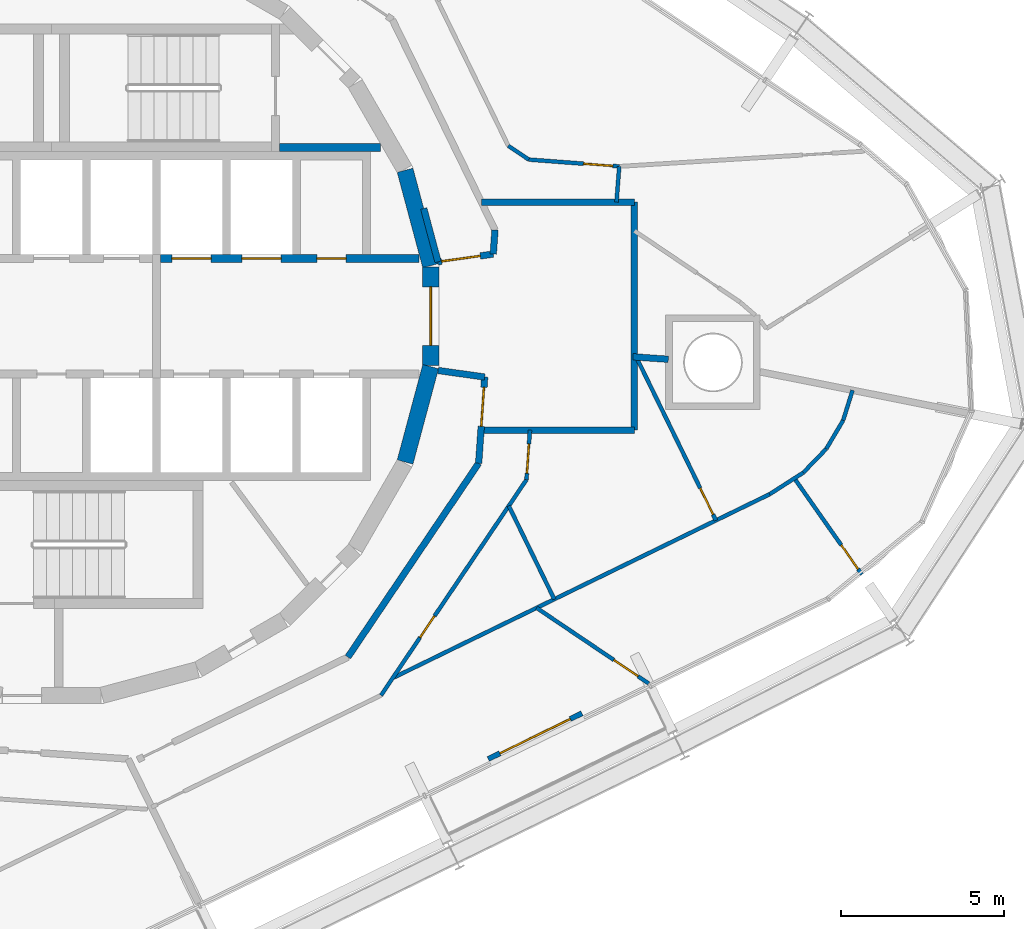
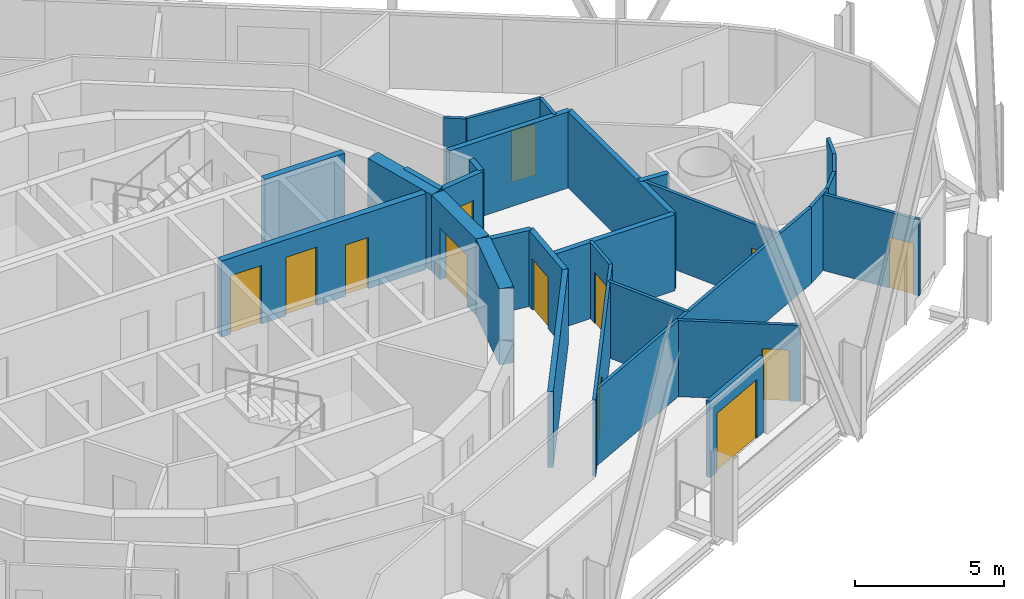
# One storey, part 14 of 18: 30 walls, 13 doors, 13 openings.
"""IFC4 building model written with IfcOpenShell, lengths in metres."""

from ifc_helpers import new_model, si_unit, direction, frame, frame_2d, origin, place, context, subcontext, project, spatial, rectangle, extrude, material, layer, layer_set, type_object, element, fill, save


model = new_model("IFC4")

# Units and contexts
model_context = context("Model", 3, precision=1e-05, world=origin(), true_north=direction((0.0, 1.0)))
body_context = subcontext(model_context, "Body", "Model", "MODEL_VIEW")
ifc_project = project(units=[si_unit("LENGTHUNIT", "METRE"), si_unit("AREAUNIT", "SQUARE_METRE"), si_unit("VOLUMEUNIT", "CUBIC_METRE"), si_unit("PLANEANGLEUNIT", "RADIAN"), si_unit("MASSUNIT", "GRAM", prefix="KILO")], contexts=[model_context])

# Site, building, storey
site_placement = place(None, origin())
site = spatial("IfcSite", under=ifc_project, at=site_placement, CompositionType="ELEMENT")
building_placement = place(site_placement, origin())
building = spatial("IfcBuilding", under=site, at=building_placement, Name="Spindle Arch Residences", CompositionType="ELEMENT")
storey_placement = place(building_placement, frame((0.0, 0.0, 202.39990234375)))
storey = spatial("IfcBuildingStorey", under=building, at=storey_placement, Name="L51", CompositionType="ELEMENT", Elevation=202.39990234375)

# Wall
ifc_material_1 = material(Name="Concrete C50/60", Category="concrete")
ifc_layer_1 = layer(ifc_material_1, 0.5)
ifc_layer_set_1 = layer_set([ifc_layer_1], Name="Core outline wall 500")
wall_type_1 = type_object("IfcWallType", Name="Core outline wall 500", PredefinedType="SHEAR", material=ifc_layer_set_1)
wall_1_placement = place(storey_placement, frame((10.858154296875, -4.479248046875, 0.0), z_axis=(0.0, 0.0, 1.0), x_axis=(0.258734743916, 0.965948410781, 0.0)))
element("IfcWall", 1, at=wall_1_placement, inside=storey, type_object=wall_type_1, Name="Core outline wall 5", PredefinedType="SHEAR", context=body_context, shape_type="SweptSolid", body=[
    extrude(rectangle(XDim=3.03271484375, YDim=0.5, at=frame_2d((1.516357421875, 0.0))), origin(), (0.0, 0.0, 1.0), 3.1201171875),
])

# Wall, opening, door
wall_2_placement = place(storey_placement, frame((11.647216796875, -1.516357421875, 0.0), z_axis=(0.0, 0.0, 1.0), x_axis=(0.0, 1.0, 0.0)))
wall_2 = element("IfcWall", 2, at=wall_2_placement, inside=storey, type_object=wall_type_1, Name="Core outline wall 6", PredefinedType="SHEAR", context=body_context, shape_type="SweptSolid", body=[
    extrude(rectangle(XDim=3.03271484375, YDim=0.5, at=frame_2d((1.516357421875, 0.0))), origin(), (0.0, 0.0, 1.0), 3.1201171875),
])
opening_1_placement = place(wall_2_placement, frame((0.6162109375, 0.0, 0.0)))
opening_1 = element("IfcOpeningElement", 3, at=opening_1_placement, cuts=wall_2, Name="Opening R5B0-FE01", PredefinedType="OPENING", context=body_context, shape_type="SweptSolid", body=[
    extrude(rectangle(XDim=1.800048828125, YDim=2.10009765625, at=frame_2d((0.89990234375, 1.050048828125))), frame((0.0, 0.260009765625, 0.0), z_axis=(0.0, -1.0, 0.0), x_axis=(1.0, 0.0, 0.0)), (0.0, 0.0, 1.0), 0.52001953125),
])
ifc_material_2 = material(Name="Steel, fire-resisting door", Category="steel")
door_type_1 = type_object("IfcDoorType", Name="Fire-lift lobby door 1800x2100", OperationType="DOUBLE_DOOR_SINGLE_SWING", PredefinedType="DOOR", material=ifc_material_2)
door_1_placement = place(opening_1_placement, origin())
door_1 = element("IfcDoor", 4, at=door_1_placement, inside=storey, type_object=door_type_1, Name="Fire-lift lobby door R5B0-FE01", OperationType="DOUBLE_DOOR_SINGLE_SWING", OverallHeight=2.10009765625, OverallWidth=1.800048828125, PredefinedType="DOOR", context=body_context, shape_type="SweptSolid", body=[
    extrude(rectangle(XDim=1.800048828125, YDim=2.10009765625, at=frame_2d((0.89990234375, 1.050048828125))), frame((0.0, 0.02490234375, 0.0), z_axis=(0.0, -1.0, 0.0), x_axis=(1.0, 0.0, 0.0)), (0.0, 0.0, 1.0), 0.050048828125),
])
fill(opening_1, door_1)

# Walls
wall_3_placement = place(storey_placement, frame((11.642822265625, 1.5498046875, 0.0), z_axis=(0.0, 0.0, 1.0), x_axis=(-0.258734743916, 0.965948410781, 0.0)))
element("IfcWall", 5, at=wall_3_placement, inside=storey, type_object=wall_type_1, Name="Core outline wall 7", PredefinedType="SHEAR", context=body_context, shape_type="SweptSolid", body=[
    extrude(rectangle(XDim=3.03271484375, YDim=0.5, at=frame_2d((1.516357421875, 0.0))), origin(), (0.0, 0.0, 1.0), 3.1201171875),
])
ifc_material_3 = material(Name="Calcium silicate block, plastered")
ifc_layer_2 = layer(ifc_material_3, 0.199951171875)
ifc_layer_set_2 = layer_set([ifc_layer_2], Name="Corridor wall 200")
wall_type_2 = type_object("IfcWallType", Name="Corridor wall 200", PredefinedType="STANDARD", material=ifc_layer_set_2)
wall_4_placement = place(storey_placement, frame((9.101318359375, -10.469970703125, 0.0), z_axis=(0.0, 0.0, 1.0), x_axis=(0.559195469534, 0.829035841718, 0.0)))
element("IfcWall", 6, at=wall_4_placement, inside=storey, type_object=wall_type_2, Name="Corridor wall R5B0-W021", PredefinedType="STANDARD", context=body_context, shape_type="SweptSolid", body=[
    extrude(rectangle(XDim=7.18115234375, YDim=0.199951171875, at=frame_2d((3.590576171875, 0.0))), origin(), (0.0, 0.0, 1.0), 3.1201171875),
])
ifc_material_4 = material(Name="Calcium silicate block, plastered")
ifc_layer_3 = layer(ifc_material_4, 0.199951171875)
ifc_layer_set_3 = layer_set([ifc_layer_3], Name="Fire-lift lobby bay wall 200")
wall_type_3 = type_object("IfcWallType", Name="Fire-lift lobby bay wall 200", PredefinedType="STANDARD", material=ifc_layer_set_3)
wall_5_placement = place(storey_placement, frame((11.8701171875, 1.668212890625, 0.0), z_axis=(0.0, 0.0, 1.0), x_axis=(-0.258836880648, 0.965921047093, 0.0)))
element("IfcWall", 7, at=wall_5_placement, inside=storey, type_object=wall_type_3, Name="Fire-lift lobby bay wall R5B0-W001", PredefinedType="STANDARD", context=body_context, shape_type="SweptSolid", body=[
    extrude(rectangle(XDim=1.695068359375, YDim=0.199951171875, at=frame_2d((0.84765625, 0.0))), origin(), (0.0, 0.0, 1.0), 3.1201171875),
])

# Wall, opening, door
wall_6_placement = place(storey_placement, frame((11.8701171875, 1.668212890625, 0.0), z_axis=(0.0, 0.0, 1.0), x_axis=(0.990271931984, 0.139145609792, 0.0)))
wall_6 = element("IfcWall", 8, at=wall_6_placement, inside=storey, type_object=wall_type_3, Name="Fire-lift lobby bay wall R5B0-W002", PredefinedType="STANDARD", context=body_context, shape_type="SweptSolid", body=[
    extrude(rectangle(XDim=1.71240234375, YDim=0.199951171875, at=frame_2d((0.856201171875, 0.0))), origin(), (0.0, 0.0, 1.0), 3.1201171875),
])
opening_2_placement = place(wall_6_placement, frame((0.110107421875, 0.0, 0.0)))
opening_2 = element("IfcOpeningElement", 9, at=opening_2_placement, cuts=wall_6, Name="Opening R5B0-CD01", PredefinedType="OPENING", context=body_context, shape_type="SweptSolid", body=[
    extrude(rectangle(XDim=1.199951171875, YDim=2.10009765625, at=frame_2d((0.60009765625, 1.050048828125))), frame((0.0, 0.10986328125, 0.0), z_axis=(0.0, -1.0, 0.0), x_axis=(1.0, 0.0, 0.0)), (0.0, 0.0, 1.0), 0.219970703125),
])
ifc_material_5 = material(Name="Steel, fire-resisting door", Category="steel")
door_type_2 = type_object("IfcDoorType", Name="Corridor division door 1200x2100", OperationType="NOTDEFINED", PredefinedType="DOOR", material=ifc_material_5)
door_2_placement = place(opening_2_placement, origin())
door_2 = element("IfcDoor", 10, at=door_2_placement, inside=storey, type_object=door_type_2, Name="Corridor division door R5B0-CD01", OperationType="DOUBLE_DOOR_SINGLE_SWING", OverallHeight=2.10009765625, OverallWidth=1.199951171875, PredefinedType="DOOR", context=body_context, shape_type="SweptSolid", body=[
    extrude(rectangle(XDim=1.199951171875, YDim=2.10009765625, at=frame_2d((0.60009765625, 1.050048828125))), frame((0.0, 0.02490234375, 0.0), z_axis=(0.0, -1.0, 0.0), x_axis=(1.0, 0.0, 0.0)), (0.0, 0.0, 1.0), 0.050048828125),
])
fill(opening_2, door_2)

# Wall
wall_7_placement = place(storey_placement, frame((13.56591796875, 1.906494140625, 0.0), z_axis=(0.0, 0.0, 1.0), x_axis=(0.07005495793, 0.997543133338, 0.0)))
element("IfcWall", 11, at=wall_7_placement, inside=storey, type_object=wall_type_3, Name="Fire-lift lobby bay wall R5B0-W003", PredefinedType="STANDARD", context=body_context, shape_type="SweptSolid", body=[
    extrude(rectangle(XDim=0.7421875, YDim=0.199951171875, at=frame_2d((0.37109375, 0.0))), origin(), (0.0, 0.0, 1.0), 3.1201171875),
])

# Wall, opening, door
wall_8_placement = place(storey_placement, frame((13.116943359375, -4.5166015625, 0.0), z_axis=(0.0, 0.0, 1.0), x_axis=(0.069736659613, 0.997565435601, 0.0)))
wall_8 = element("IfcWall", 12, at=wall_8_placement, inside=storey, type_object=wall_type_3, Name="Fire-lift lobby bay wall R5B0-W013", PredefinedType="STANDARD", context=body_context, shape_type="SweptSolid", body=[
    extrude(rectangle(XDim=2.653564453125, YDim=0.199951171875, at=frame_2d((1.32666015625, 0.0))), origin(), (0.0, 0.0, 1.0), 3.1201171875),
])
opening_3_placement = place(wall_8_placement, frame((1.134033203125, 0.0, 0.0)))
opening_3 = element("IfcOpeningElement", 13, at=opening_3_placement, cuts=wall_8, Name="Opening R5B0-CD02", PredefinedType="OPENING", context=body_context, shape_type="SweptSolid", body=[
    extrude(rectangle(XDim=1.199951171875, YDim=2.10009765625, at=frame_2d((0.60009765625, 1.050048828125))), frame((0.0, 0.10986328125, 0.0), z_axis=(0.0, -1.0, 0.0), x_axis=(1.0, 0.0, 0.0)), (0.0, 0.0, 1.0), 0.219970703125),
])
door_3_placement = place(opening_3_placement, origin())
door_3 = element("IfcDoor", 14, at=door_3_placement, inside=storey, type_object=door_type_2, Name="Corridor division door R5B0-CD02", OperationType="DOUBLE_DOOR_SINGLE_SWING", OverallHeight=2.10009765625, OverallWidth=1.199951171875, PredefinedType="DOOR", context=body_context, shape_type="SweptSolid", body=[
    extrude(rectangle(XDim=1.199951171875, YDim=2.10009765625, at=frame_2d((0.60009765625, 1.050048828125))), frame((0.0, 0.02490234375, 0.0), z_axis=(0.0, -1.0, 0.0), x_axis=(1.0, 0.0, 0.0)), (0.0, 0.0, 1.0), 0.050048828125),
])
fill(opening_3, door_3)

# Walls
wall_9_placement = place(storey_placement, frame((13.302001953125, -1.869384765625, 0.0), z_axis=(0.0, 0.0, 1.0), x_axis=(-0.990274397042, 0.13912806533, 0.0)))
element("IfcWall", 15, at=wall_9_placement, inside=storey, type_object=wall_type_3, Name="Fire-lift lobby bay wall R5B0-W014", PredefinedType="STANDARD", context=body_context, shape_type="SweptSolid", body=[
    extrude(rectangle(XDim=1.446044921875, YDim=0.199951171875, at=frame_2d((0.72314453125, 0.0))), origin(), (0.0, 0.0, 1.0), 3.1201171875),
])
wall_10_placement = place(storey_placement, frame((17.89990234375, 3.5, 0.0), z_axis=(0.0, 0.0, 1.0), x_axis=(-1.0, 0.0, 0.0)))
element("IfcWall", 16, at=wall_10_placement, inside=storey, type_object=wall_type_3, Name="Fire-lift lobby bay wall R5B0-W024", PredefinedType="STANDARD", context=body_context, shape_type="SweptSolid", body=[
    extrude(rectangle(XDim=4.697998046875, YDim=0.199951171875, at=frame_2d((2.34912109375, 0.0))), origin(), (0.0, 0.0, 1.0), 3.1201171875),
])
wall_11_placement = place(storey_placement, frame((17.89990234375, -3.5, 0.0), z_axis=(0.0, 0.0, 1.0), x_axis=(0.0, 1.0, 0.0)))
element("IfcWall", 17, at=wall_11_placement, inside=storey, type_object=wall_type_3, Name="Fire-lift lobby bay wall R5B0-W025", PredefinedType="STANDARD", context=body_context, shape_type="SweptSolid", body=[
    extrude(rectangle(XDim=7.0, YDim=0.199951171875, at=frame_2d((3.5, 0.0))), origin(), (0.0, 0.0, 1.0), 3.1201171875),
])
wall_12_placement = place(storey_placement, frame((13.18798828125, -3.5, 0.0), z_axis=(0.0, 0.0, 1.0), x_axis=(1.0, 0.0, 0.0)))
element("IfcWall", 18, at=wall_12_placement, inside=storey, type_object=wall_type_3, Name="Fire-lift lobby bay wall R5B0-W026", PredefinedType="STANDARD", context=body_context, shape_type="SweptSolid", body=[
    extrude(rectangle(XDim=4.7119140625, YDim=0.199951171875, at=frame_2d((2.35595703125, 0.0))), origin(), (0.0, 0.0, 1.0), 3.1201171875),
])

# Wall, openings, doors
ifc_material_6 = material(Name="Concrete C40/50", Category="concrete")
ifc_layer_4 = layer(ifc_material_6, 0.25)
ifc_layer_set_4 = layer_set([ifc_layer_4], Name="Fire-lift lobby wall 250")
wall_type_4 = type_object("IfcWallType", Name="Fire-lift lobby wall 250", PredefinedType="SHEAR", material=ifc_layer_set_4)
wall_13_placement = place(storey_placement, frame((3.35009765625, 1.77490234375, 0.0), z_axis=(0.0, 0.0, 1.0), x_axis=(1.0, 0.0, 0.0)))
wall_13 = element("IfcWall", 19, at=wall_13_placement, inside=storey, type_object=wall_type_4, Name="Lift shaft front wall NE", PredefinedType="SHEAR", context=body_context, shape_type="SweptSolid", body=[
    extrude(rectangle(XDim=7.929931640625, YDim=0.25, at=frame_2d((3.96484375, 0.0))), origin(), (0.0, 0.0, 1.0), 3.1201171875),
])
opening_4_placement = place(wall_13_placement, frame((0.35009765625, 0.0, 0.0)))
opening_4 = element("IfcOpeningElement", 20, at=opening_4_placement, cuts=wall_13, Name="Opening R5B0-SLD01", PredefinedType="OPENING", context=body_context, shape_type="SweptSolid", body=[
    extrude(rectangle(XDim=1.199951171875, YDim=2.39990234375, at=frame_2d((0.60009765625, 1.199951171875))), frame((0.0, 0.135009765625, 0.0), z_axis=(0.0, -1.0, 0.0), x_axis=(1.0, 0.0, 0.0)), (0.0, 0.0, 1.0), 0.27001953125),
])
opening_5_placement = place(wall_13_placement, frame((2.5, 0.0, 0.0)))
opening_5 = element("IfcOpeningElement", 21, at=opening_5_placement, cuts=wall_13, Name="Opening R5B0-SLD02", PredefinedType="OPENING", context=body_context, shape_type="SweptSolid", body=[
    extrude(rectangle(XDim=1.199951171875, YDim=2.39990234375, at=frame_2d((0.60009765625, 1.199951171875))), frame((0.0, 0.135009765625, 0.0), z_axis=(0.0, -1.0, 0.0), x_axis=(1.0, 0.0, 0.0)), (0.0, 0.0, 1.0), 0.27001953125),
])
opening_6_placement = place(wall_13_placement, frame((4.800048828125, 0.0, 0.0)))
opening_6 = element("IfcOpeningElement", 22, at=opening_6_placement, cuts=wall_13, Name="Opening R5B0-WD02", PredefinedType="OPENING", context=body_context, shape_type="SweptSolid", body=[
    extrude(rectangle(XDim=0.89990234375, YDim=2.10009765625, at=frame_2d((0.449951171875, 1.050048828125))), frame((0.0, 0.135009765625, 0.0), z_axis=(0.0, -1.0, 0.0), x_axis=(1.0, 0.0, 0.0)), (0.0, 0.0, 1.0), 0.27001953125),
])
ifc_material_7 = material(Name="Steel, fire-resisting landing door", Category="steel")
door_type_3 = type_object("IfcDoorType", Name="Service lift landing door 1200x2400", OperationType="DOUBLE_DOOR_SLIDING", PredefinedType="DOOR", material=ifc_material_7)
door_4_placement = place(opening_4_placement, origin())
door_4 = element("IfcDoor", 23, at=door_4_placement, inside=storey, type_object=door_type_3, Name="Service lift landing door R5B0-SLD01", OperationType="DOUBLE_DOOR_SLIDING", OverallHeight=2.39990234375, OverallWidth=1.199951171875, PredefinedType="DOOR", context=body_context, shape_type="SweptSolid", body=[
    extrude(rectangle(XDim=1.199951171875, YDim=2.39990234375, at=frame_2d((0.60009765625, 1.199951171875))), frame((0.0, 0.02490234375, 0.0), z_axis=(0.0, -1.0, 0.0), x_axis=(1.0, 0.0, 0.0)), (0.0, 0.0, 1.0), 0.050048828125),
])
fill(opening_4, door_4)
door_5_placement = place(opening_5_placement, origin())
door_5 = element("IfcDoor", 24, at=door_5_placement, inside=storey, type_object=door_type_3, Name="Service lift landing door R5B0-SLD02", OperationType="DOUBLE_DOOR_SLIDING", OverallHeight=2.39990234375, OverallWidth=1.199951171875, PredefinedType="DOOR", context=body_context, shape_type="SweptSolid", body=[
    extrude(rectangle(XDim=1.199951171875, YDim=2.39990234375, at=frame_2d((0.60009765625, 1.199951171875))), frame((0.0, 0.02490234375, 0.0), z_axis=(0.0, -1.0, 0.0), x_axis=(1.0, 0.0, 0.0)), (0.0, 0.0, 1.0), 0.050048828125),
])
fill(opening_5, door_5)
ifc_material_8 = material(Name="Steel, fire-resisting door", Category="steel")
door_type_4 = type_object("IfcDoorType", Name="Service room door 900x2100", OperationType="SINGLE_SWING_LEFT", PredefinedType="DOOR", material=ifc_material_8)
door_6_placement = place(opening_6_placement, origin())
door_6 = element("IfcDoor", 25, at=door_6_placement, inside=storey, type_object=door_type_4, Name="Service room door R5B0-WD02", OperationType="SINGLE_SWING_RIGHT", OverallHeight=2.10009765625, OverallWidth=0.89990234375, PredefinedType="DOOR", context=body_context, shape_type="SweptSolid", body=[
    extrude(rectangle(XDim=0.89990234375, YDim=2.10009765625, at=frame_2d((0.449951171875, 1.050048828125))), frame((0.0, 0.02490234375, 0.0), z_axis=(0.0, -1.0, 0.0), x_axis=(1.0, 0.0, 0.0)), (0.0, 0.0, 1.0), 0.050048828125),
])
fill(opening_6, door_6)

# Wall
ifc_material_9 = material(Name="Plasterboard on steel studs", Category="steel")
ifc_layer_5 = layer(ifc_material_9, 0.1201171875)
ifc_layer_set_5 = layer_set([ifc_layer_5], Name="Flat partition 120")
wall_type_5 = type_object("IfcWallType", Name="Flat partition 120", PredefinedType="PARTITIONING", material=ifc_layer_set_5)
wall_14_placement = place(storey_placement, frame((17.3505859375, 3.5, 0.0), z_axis=(0.0, 0.0, 1.0), x_axis=(0.075374124137, 0.997155324616, 0.0)))
element("IfcWall", 26, at=wall_14_placement, inside=storey, type_object=wall_type_5, Name="Flat partition R5B0-W037", PredefinedType="PARTITIONING", context=body_context, shape_type="SweptSolid", body=[
    extrude(rectangle(XDim=1.101318359375, YDim=0.1201171875, at=frame_2d((0.55078125, 0.0))), origin(), (0.0, 0.0, 1.0), 3.1201171875),
])

# Wall, opening, door
wall_15_placement = place(storey_placement, frame((17.43359375, 4.59814453125, 0.0), z_axis=(0.0, 0.0, 1.0), x_axis=(-0.997152077354, 0.075417071205, 0.0)))
wall_15 = element("IfcWall", 27, at=wall_15_placement, inside=storey, type_object=wall_type_5, Name="Flat partition R5B0-W038", PredefinedType="PARTITIONING", context=body_context, shape_type="SweptSolid", body=[
    extrude(rectangle(XDim=2.787353515625, YDim=0.1201171875, at=frame_2d((1.3935546875, 0.0))), origin(), (0.0, 0.0, 1.0), 3.1201171875),
])
opening_7_placement = place(wall_15_placement, frame((0.199951171875, 0.0, 0.0)))
opening_7 = element("IfcOpeningElement", 28, at=opening_7_placement, cuts=wall_15, Name="Opening R5B0-ID01", PredefinedType="OPENING", context=body_context, shape_type="SweptSolid", body=[
    extrude(rectangle(XDim=0.89990234375, YDim=2.10009765625, at=frame_2d((0.449951171875, 1.050048828125))), frame((0.0, 0.070068359375, 0.0), z_axis=(0.0, -1.0, 0.0), x_axis=(1.0, 0.0, 0.0)), (0.0, 0.0, 1.0), 0.14013671875),
])
ifc_material_10 = material(Name="Timber door set", Category="wood")
door_type_5 = type_object("IfcDoorType", Name="Room door 900x2100", OperationType="NOTDEFINED", PredefinedType="DOOR", material=ifc_material_10)
door_7_placement = place(opening_7_placement, origin())
door_7 = element("IfcDoor", 29, at=door_7_placement, inside=storey, type_object=door_type_5, Name="Room door R5B0-ID01", OperationType="SINGLE_SWING_LEFT", OverallHeight=2.10009765625, OverallWidth=0.89990234375, PredefinedType="DOOR", context=body_context, shape_type="SweptSolid", body=[
    extrude(rectangle(XDim=0.89990234375, YDim=2.10009765625, at=frame_2d((0.449951171875, 1.050048828125))), frame((0.0, 0.02490234375, 0.0), z_axis=(0.0, -1.0, 0.0), x_axis=(1.0, 0.0, 0.0)), (0.0, 0.0, 1.0), 0.050048828125),
])
fill(opening_7, door_7)

# Wall
wall_16_placement = place(storey_placement, frame((14.654296875, 4.808349609375, 0.0), z_axis=(0.0, 0.0, 1.0), x_axis=(-0.829065184024, 0.559151965604, 0.0)))
element("IfcWall", 30, at=wall_16_placement, inside=storey, type_object=wall_type_5, Name="Flat partition R5B0-W039", PredefinedType="PARTITIONING", context=body_context, shape_type="SweptSolid", body=[
    extrude(rectangle(XDim=0.758056640625, YDim=0.1201171875, at=frame_2d((0.37890625, 0.0))), origin(), (0.0, 0.0, 1.0), 3.1201171875),
])

# Wall, opening, door
wall_17_placement = place(storey_placement, frame((10.1201171875, -11.641845703125, 0.0), z_axis=(0.0, 0.0, 1.0), x_axis=(0.55920080659, 0.829032241779, 0.0)))
wall_17 = element("IfcWall", 31, at=wall_17_placement, inside=storey, type_object=wall_type_5, Name="Flat partition R5B0-W101", PredefinedType="PARTITIONING", context=body_context, shape_type="SweptSolid", body=[
    extrude(rectangle(XDim=7.98486328125, YDim=0.1201171875, at=frame_2d((3.992431640625, 0.0))), origin(), (0.0, 0.0, 1.0), 3.1201171875),
])
opening_8_placement = place(wall_17_placement, frame((2.138427734375, 0.0, 0.0)))
opening_8 = element("IfcOpeningElement", 32, at=opening_8_placement, cuts=wall_17, Name="Opening R5B0-BD06", PredefinedType="OPENING", context=body_context, shape_type="SweptSolid", body=[
    extrude(rectangle(XDim=0.800048828125, YDim=2.10009765625, at=frame_2d((0.39990234375, 1.050048828125))), frame((0.0, 0.070068359375, 0.0), z_axis=(0.0, -1.0, 0.0), x_axis=(1.0, 0.0, 0.0)), (0.0, 0.0, 1.0), 0.14013671875),
])
ifc_material_11 = material(Name="Timber door set", Category="wood")
door_type_6 = type_object("IfcDoorType", Name="Bathroom door 800x2100", OperationType="NOTDEFINED", PredefinedType="DOOR", material=ifc_material_11)
door_8_placement = place(opening_8_placement, origin())
door_8 = element("IfcDoor", 33, at=door_8_placement, inside=storey, type_object=door_type_6, Name="Bathroom door R5B0-BD06", OperationType="SINGLE_SWING_RIGHT", OverallHeight=2.10009765625, OverallWidth=0.800048828125, PredefinedType="DOOR", context=body_context, shape_type="SweptSolid", body=[
    extrude(rectangle(XDim=0.800048828125, YDim=2.10009765625, at=frame_2d((0.39990234375, 1.050048828125))), frame((0.0, 0.02490234375, 0.0), z_axis=(0.0, -1.0, 0.0), x_axis=(1.0, 0.0, 0.0)), (0.0, 0.0, 1.0), 0.050048828125),
])
fill(opening_8, door_8)

wall_18_placement = place(storey_placement, frame((14.585205078125, -5.022216796875, 0.0), z_axis=(0.0, 0.0, 1.0), x_axis=(0.069757481187, 0.997563979812, 0.0)))
wall_18 = element("IfcWall", 34, at=wall_18_placement, inside=storey, type_object=wall_type_5, Name="Flat partition R5B0-W102", PredefinedType="PARTITIONING", context=body_context, shape_type="SweptSolid", body=[
    extrude(rectangle(XDim=1.52587890625, YDim=0.1201171875, at=frame_2d((0.762939453125, 0.0))), origin(), (0.0, 0.0, 1.0), 3.1201171875),
])
opening_9_placement = place(wall_18_placement, frame((0.199951171875, 0.0, 0.0)))
opening_9 = element("IfcOpeningElement", 35, at=opening_9_placement, cuts=wall_18, Name="Opening R5B0-ID23", PredefinedType="OPENING", context=body_context, shape_type="SweptSolid", body=[
    extrude(rectangle(XDim=0.89990234375, YDim=2.10009765625, at=frame_2d((0.449951171875, 1.050048828125))), frame((0.0, 0.070068359375, 0.0), z_axis=(0.0, -1.0, 0.0), x_axis=(1.0, 0.0, 0.0)), (0.0, 0.0, 1.0), 0.14013671875),
])
door_9_placement = place(opening_9_placement, origin())
door_9 = element("IfcDoor", 36, at=door_9_placement, inside=storey, type_object=door_type_5, Name="Room door R5B0-ID23", OperationType="SINGLE_SWING_RIGHT", OverallHeight=2.10009765625, OverallWidth=0.89990234375, PredefinedType="DOOR", context=body_context, shape_type="SweptSolid", body=[
    extrude(rectangle(XDim=0.89990234375, YDim=2.10009765625, at=frame_2d((0.449951171875, 1.050048828125))), frame((0.0, 0.02490234375, 0.0), z_axis=(0.0, -1.0, 0.0), x_axis=(1.0, 0.0, 0.0)), (0.0, 0.0, 1.0), 0.050048828125),
])
fill(opening_9, door_9)

# Wall
wall_19_placement = place(storey_placement, frame((22.05224609375, -5.467041015625, 0.0), z_axis=(0.0, 0.0, 1.0), x_axis=(-0.898796865831, -0.438365365846, 0.0)))
element("IfcWall", 37, at=wall_19_placement, inside=storey, type_object=wall_type_5, Name="Flat partition R5B0-W103", PredefinedType="PARTITIONING", context=body_context, shape_type="SweptSolid", body=[
    extrude(rectangle(XDim=12.878662109375, YDim=0.1201171875, at=frame_2d((6.439453125, 0.0))), origin(), (0.0, 0.0, 1.0), 3.1201171875),
])

# Wall, opening, door
wall_20_placement = place(storey_placement, frame((18.342529296875, -11.28173828125, 0.0), z_axis=(0.0, 0.0, 1.0), x_axis=(-0.829047434778, 0.559178281845, 0.0)))
wall_20 = element("IfcWall", 38, at=wall_20_placement, inside=storey, type_object=wall_type_5, Name="Flat partition R5B0-W104", PredefinedType="PARTITIONING", context=body_context, shape_type="SweptSolid", body=[
    extrude(rectangle(XDim=4.156982421875, YDim=0.1201171875, at=frame_2d((2.07861328125, 0.0))), origin(), (0.0, 0.0, 1.0), 3.1201171875),
])
opening_10_placement = place(wall_20_placement, frame((0.39990234375, 0.0, 0.0)))
opening_10 = element("IfcOpeningElement", 39, at=opening_10_placement, cuts=wall_20, Name="Opening R5B0-ID25", PredefinedType="OPENING", context=body_context, shape_type="SweptSolid", body=[
    extrude(rectangle(XDim=0.89990234375, YDim=2.10009765625, at=frame_2d((0.449951171875, 1.050048828125))), frame((0.0, 0.070068359375, 0.0), z_axis=(0.0, -1.0, 0.0), x_axis=(1.0, 0.0, 0.0)), (0.0, 0.0, 1.0), 0.14013671875),
])
door_10_placement = place(opening_10_placement, origin())
door_10 = element("IfcDoor", 40, at=door_10_placement, inside=storey, type_object=door_type_5, Name="Room door R5B0-ID25", OperationType="SINGLE_SWING_RIGHT", OverallHeight=2.10009765625, OverallWidth=0.89990234375, PredefinedType="DOOR", context=body_context, shape_type="SweptSolid", body=[
    extrude(rectangle(XDim=0.89990234375, YDim=2.10009765625, at=frame_2d((0.449951171875, 1.050048828125))), frame((0.0, 0.02490234375, 0.0), z_axis=(0.0, -1.0, 0.0), x_axis=(1.0, 0.0, 0.0)), (0.0, 0.0, 1.0), 0.050048828125),
])
fill(opening_10, door_10)

# Wall
wall_21_placement = place(storey_placement, frame((15.440185546875, -8.69189453125, 0.0), z_axis=(0.0, 0.0, 1.0), x_axis=(-0.438339139088, 0.898809656792, 0.0)))
element("IfcWall", 41, at=wall_21_placement, inside=storey, type_object=wall_type_5, Name="Flat partition R5B0-W105", PredefinedType="PARTITIONING", context=body_context, shape_type="SweptSolid", body=[
    extrude(rectangle(XDim=3.18798828125, YDim=0.1201171875, at=frame_2d((1.593994140625, 0.0))), origin(), (0.0, 0.0, 1.0), 3.1201171875),
])

# Wall, opening, door
wall_22_placement = place(storey_placement, frame((24.8828125, -7.9287109375, 0.0), z_axis=(0.0, 0.0, 1.0), x_axis=(-0.574753041075, 0.818326916198, 0.0)))
wall_22 = element("IfcWall", 42, at=wall_22_placement, inside=storey, type_object=wall_type_5, Name="Flat partition R5B0-W106", PredefinedType="PARTITIONING", context=body_context, shape_type="SweptSolid", body=[
    extrude(rectangle(XDim=3.603271484375, YDim=0.1201171875, at=frame_2d((1.8017578125, 0.0))), origin(), (0.0, 0.0, 1.0), 3.1201171875),
])
opening_11_placement = place(wall_22_placement, frame((0.199951171875, 0.0, 0.0)))
opening_11 = element("IfcOpeningElement", 43, at=opening_11_placement, cuts=wall_22, Name="Opening R5B0-ID26", PredefinedType="OPENING", context=body_context, shape_type="SweptSolid", body=[
    extrude(rectangle(XDim=0.89990234375, YDim=2.10009765625, at=frame_2d((0.449951171875, 1.050048828125))), frame((0.0, 0.070068359375, 0.0), z_axis=(0.0, -1.0, 0.0), x_axis=(1.0, 0.0, 0.0)), (0.0, 0.0, 1.0), 0.14013671875),
])
door_11_placement = place(opening_11_placement, origin())
door_11 = element("IfcDoor", 44, at=door_11_placement, inside=storey, type_object=door_type_5, Name="Room door R5B0-ID26", OperationType="SINGLE_SWING_RIGHT", OverallHeight=2.10009765625, OverallWidth=0.89990234375, PredefinedType="DOOR", context=body_context, shape_type="SweptSolid", body=[
    extrude(rectangle(XDim=0.89990234375, YDim=2.10009765625, at=frame_2d((0.449951171875, 1.050048828125))), frame((0.0, 0.02490234375, 0.0), z_axis=(0.0, -1.0, 0.0), x_axis=(1.0, 0.0, 0.0)), (0.0, 0.0, 1.0), 0.050048828125),
])
fill(opening_11, door_11)

# Wall
wall_23_placement = place(storey_placement, frame((23.085205078125, -4.8046875, 0.0), z_axis=(0.0, 0.0, 1.0), x_axis=(-0.841804960937, -0.539781814942, 0.0)))
element("IfcWall", 45, at=wall_23_placement, inside=storey, type_object=wall_type_5, Name="Flat partition R5B0-W107", PredefinedType="PARTITIONING", context=body_context, shape_type="SweptSolid", body=[
    extrude(rectangle(XDim=1.22705078125, YDim=0.1201171875, at=frame_2d((0.613525390625, 0.0))), origin(), (0.0, 0.0, 1.0), 3.1201171875),
])

# Wall, opening, door
wall_24_placement = place(storey_placement, frame((20.4033203125, -6.271240234375, 0.0), z_axis=(0.0, 0.0, 1.0), x_axis=(-0.438371913736, 0.898793672234, 0.0)))
wall_24 = element("IfcWall", 46, at=wall_24_placement, inside=storey, type_object=wall_type_5, Name="Flat partition R5B0-W108", PredefinedType="PARTITIONING", context=body_context, shape_type="SweptSolid", body=[
    extrude(rectangle(XDim=5.580322265625, YDim=0.1201171875, at=frame_2d((2.7900390625, 0.0))), origin(), (0.0, 0.0, 1.0), 3.1201171875),
])
opening_12_placement = place(wall_24_placement, frame((0.199951171875, 0.0, 0.0)))
opening_12 = element("IfcOpeningElement", 47, at=opening_12_placement, cuts=wall_24, Name="Opening R5B0-ID24", PredefinedType="OPENING", context=body_context, shape_type="SweptSolid", body=[
    extrude(rectangle(XDim=0.89990234375, YDim=2.10009765625, at=frame_2d((0.449951171875, 1.050048828125))), frame((0.0, 0.070068359375, 0.0), z_axis=(0.0, -1.0, 0.0), x_axis=(1.0, 0.0, 0.0)), (0.0, 0.0, 1.0), 0.14013671875),
])
door_12_placement = place(opening_12_placement, origin())
door_12 = element("IfcDoor", 48, at=door_12_placement, inside=storey, type_object=door_type_5, Name="Room door R5B0-ID24", OperationType="SINGLE_SWING_RIGHT", OverallHeight=2.10009765625, OverallWidth=0.89990234375, PredefinedType="DOOR", context=body_context, shape_type="SweptSolid", body=[
    extrude(rectangle(XDim=0.89990234375, YDim=2.10009765625, at=frame_2d((0.449951171875, 1.050048828125))), frame((0.0, 0.02490234375, 0.0), z_axis=(0.0, -1.0, 0.0), x_axis=(1.0, 0.0, 0.0)), (0.0, 0.0, 1.0), 0.050048828125),
])
fill(opening_12, door_12)

# Walls
wall_25_placement = place(storey_placement, frame((24.597900390625, -2.274658203125, 0.0), z_axis=(0.0, 0.0, 1.0), x_axis=(-0.297959469991, -0.95457852178, 0.0)))
element("IfcWall", 49, at=wall_25_placement, inside=storey, type_object=wall_type_5, Name="Flat partition R5B0-W109", PredefinedType="PARTITIONING", context=body_context, shape_type="SweptSolid", body=[
    extrude(rectangle(XDim=0.96923828125, YDim=0.1201171875, at=frame_2d((0.484619140625, 0.0))), origin(), (0.0, 0.0, 1.0), 3.1201171875),
])
wall_26_placement = place(storey_placement, frame((24.30908203125, -3.199951171875, 0.0), z_axis=(0.0, 0.0, 1.0), x_axis=(-0.509894600044, -0.860236884146, 0.0)))
element("IfcWall", 50, at=wall_26_placement, inside=storey, type_object=wall_type_5, Name="Flat partition R5B0-W110", PredefinedType="PARTITIONING", context=body_context, shape_type="SweptSolid", body=[
    extrude(rectangle(XDim=1.01611328125, YDim=0.1201171875, at=frame_2d((0.508056640625, 0.0))), origin(), (0.0, 0.0, 1.0), 3.1201171875),
])
wall_27_placement = place(storey_placement, frame((23.791015625, -4.073974609375, 0.0), z_axis=(0.0, 0.0, 1.0), x_axis=(-0.694744601716, -0.719256517792, 0.0)))
element("IfcWall", 51, at=wall_27_placement, inside=storey, type_object=wall_type_5, Name="Flat partition R5B0-W111", PredefinedType="PARTITIONING", context=body_context, shape_type="SweptSolid", body=[
    extrude(rectangle(XDim=1.015869140625, YDim=0.1201171875, at=frame_2d((0.5078125, 0.0))), origin(), (0.0, 0.0, 1.0), 3.1201171875),
])
ifc_material_12 = material(Name="Calcium silicate block, plastered")
ifc_layer_6 = layer(ifc_material_12, 0.199951171875)
ifc_layer_set_6 = layer_set([ifc_layer_6], Name="Flat party wall 200")
wall_type_6 = type_object("IfcWallType", Name="Flat party wall 200", PredefinedType="STANDARD", material=ifc_layer_set_6)
wall_28_placement = place(storey_placement, frame((17.857421875, -1.24853515625, 0.0), z_axis=(0.0, 0.0, 1.0), x_axis=(0.997556932604, -0.069858186453, 0.0)))
element("IfcWall", 52, at=wall_28_placement, inside=storey, type_object=wall_type_6, Name="Flat party wall R5B0-W028", PredefinedType="STANDARD", context=body_context, shape_type="SweptSolid", body=[
    extrude(rectangle(XDim=1.0869140625, YDim=0.199951171875, at=frame_2d((0.54345703125, 0.0))), origin(), (0.0, 0.0, 1.0), 3.1201171875),
])

# Wall, opening, door
ifc_material_13 = material(Name="Non-combustible mineral wool insulated aluminium faced external wall (K0)", Category="aluminium")
ifc_layer_7 = layer(ifc_material_13, 0.159912109375)
ifc_layer_set_7 = layer_set([ifc_layer_7], Name="Insulated external wall panel 160")
wall_type_7 = type_object("IfcWallType", Name="Insulated external wall panel 160", PredefinedType="STANDARD", material=ifc_layer_set_7)
wall_29_placement = place(storey_placement, frame((13.411865234375, -13.59765625, 0.0), z_axis=(0.0, 0.0, 1.0), x_axis=(0.898793373747, 0.438372525723, 0.0)))
wall_29 = element("IfcWall", 53, at=wall_29_placement, inside=storey, type_object=wall_type_7, Name="External wall L51 bay 1", PredefinedType="STANDARD", context=body_context, shape_type="SweptSolid", body=[
    extrude(rectangle(XDim=3.2001953125, YDim=0.159912109375, at=frame_2d((1.60009765625, 0.0))), origin(), (0.0, 0.0, 1.0), 3.1201171875),
])
opening_13_placement = place(wall_29_placement, frame((0.39990234375, 0.0, 0.0)))
opening_13 = element("IfcOpeningElement", 54, at=opening_13_placement, cuts=wall_29, Name="Opening BD01", PredefinedType="OPENING", context=body_context, shape_type="SweptSolid", body=[
    extrude(rectangle(XDim=2.39990234375, YDim=2.39990234375, at=frame_2d((1.199951171875, 1.199951171875))), frame((0.0, 0.08984375, 0.0), z_axis=(0.0, -1.0, 0.0), x_axis=(1.0, 0.0, 0.0)), (0.0, 0.0, 1.0), 0.179931640625),
])
ifc_material_14 = material(Name="Bronze aluminium frame, tinted double glazing", Category="aluminium")
door_type_7 = type_object("IfcDoorType", Name="Sliding glazed balcony door 2400x2400", OperationType="DOUBLE_DOOR_SLIDING", PredefinedType="DOOR", material=ifc_material_14)
door_13_placement = place(opening_13_placement, origin())
door_13 = element("IfcDoor", 55, at=door_13_placement, inside=storey, type_object=door_type_7, Name="Balcony door BD01", OperationType="DOUBLE_DOOR_SLIDING", OverallHeight=2.39990234375, OverallWidth=2.39990234375, PredefinedType="DOOR", context=body_context, shape_type="SweptSolid", body=[
    extrude(rectangle(XDim=2.39990234375, YDim=2.39990234375, at=frame_2d((1.199951171875, 1.199951171875))), frame((0.0, 0.02490234375, 0.0), z_axis=(0.0, -1.0, 0.0), x_axis=(1.0, 0.0, 0.0)), (0.0, 0.0, 1.0), 0.050048828125),
])
fill(opening_13, door_13)

# Wall
ifc_material_15 = material(Name="Concrete C40/50", Category="concrete")
ifc_layer_8 = layer(ifc_material_15, 0.25)
ifc_layer_set_8 = layer_set([ifc_layer_8], Name="Stair airlock wall 250")
wall_type_8 = type_object("IfcWallType", Name="Stair airlock wall 250", PredefinedType="SHEAR", material=ifc_layer_set_8)
wall_30_placement = place(storey_placement, frame((7.0, 5.175048828125, 0.0), z_axis=(0.0, 0.0, 1.0), x_axis=(1.0, 0.0, 0.0)))
element("IfcWall", 56, at=wall_30_placement, inside=storey, type_object=wall_type_8, Name="Stair ST-1 airlock wall S", PredefinedType="SHEAR", context=body_context, shape_type="SweptSolid", body=[
    extrude(rectangle(XDim=3.10009765625, YDim=0.25, at=frame_2d((1.550048828125, 0.0))), origin(), (0.0, 0.0, 1.0), 3.1201171875),
])

save(model, "model.ifc")
